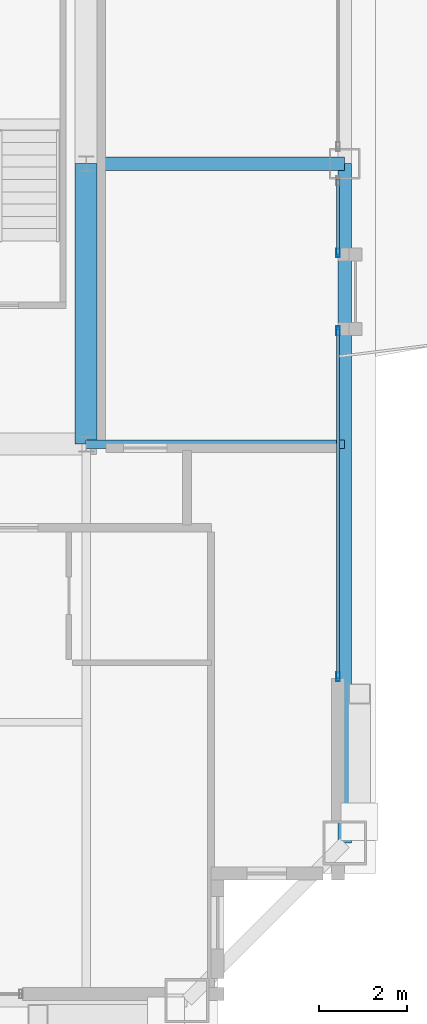
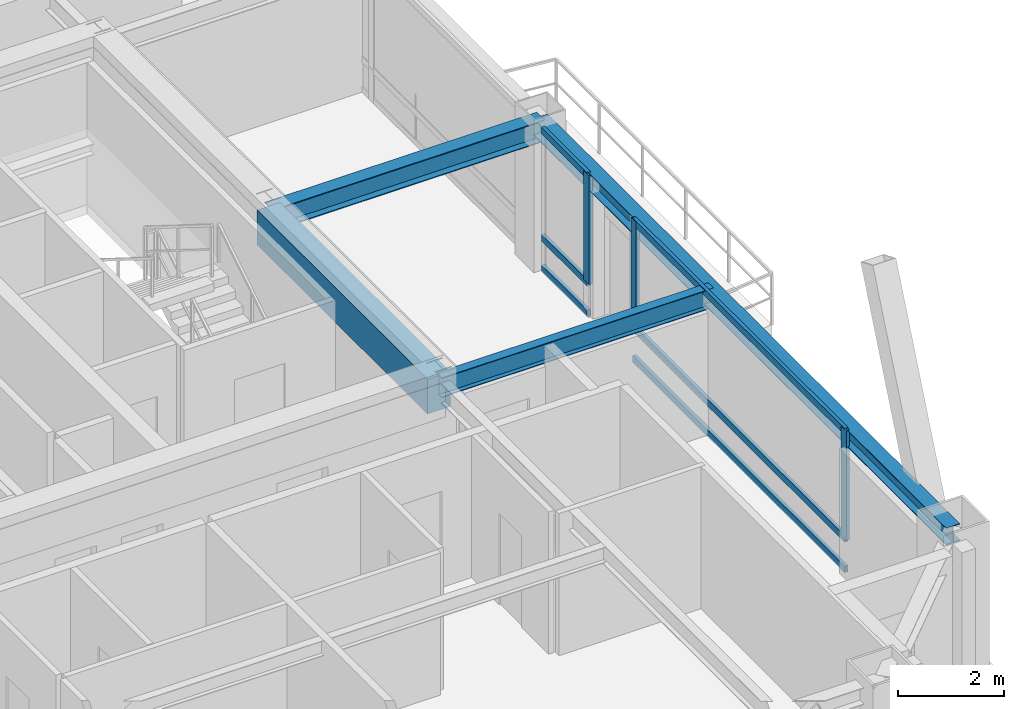
# One storey, part 13 of 35: 9 members, 4 beams, 2 elements without a shape of their own.
"""IFC4 building model written with IfcOpenShell, lengths in metres."""

import ifcopenshell
import ifcopenshell.guid

model = None  # the IFC model being written
_history = None  # IfcOwnerHistory: only IFC2X3 demands one
_inside = {}  # id of a spatial element -> (the spatial element, [elements in it])
_under = {}  # id of a project, library or spatial element -> (it, [spatial elements below it])
_declared = {}  # id of a project -> (the project, [libraries it declares])
_typed = {}  # id of a type object -> (the type object, [elements of that type])
_made_of = {}  # id of a material, layer set ... -> (it, [elements and type objects made of it])


def new_model(schema):
    """Start an empty IFC model of exactly this schema.

    Asked for "IFC4X3", IfcOpenShell would pick the latest addendum, in which some entities
    have other attributes; the version numbers below select the first issue.
    IFC2X3 requires an IfcOwnerHistory on every rooted entity: one is made here for all.
    """
    global model, _history
    if schema == "IFC4X3":
        model = ifcopenshell.file(schema_version=(4, 3, 0, 0))
    else:
        model = ifcopenshell.file(schema=schema)
    _inside.clear()
    _under.clear()
    _declared.clear()
    _typed.clear()
    _made_of.clear()
    _history = None
    if model.schema == "IFC2X3":
        org = make("IfcOrganization", Name="unknown")
        user = make(
            "IfcPersonAndOrganization",
            ThePerson=make("IfcPerson", FamilyName="unknown"),
            TheOrganization=org,
        )
        app = make(
            "IfcApplication",
            ApplicationDeveloper=org,
            Version="unknown",
            ApplicationFullName="unknown",
            ApplicationIdentifier="unknown",
        )
        _history = make(
            "IfcOwnerHistory",
            OwningUser=user,
            OwningApplication=app,
            ChangeAction="ADDED",
            CreationDate=0,
        )
    return model


def make(cls, **values):
    """One entity of the class cls with the attributes given. An attribute that is None is left unset."""
    return model.create_entity(
        cls, **{name: value for name, value in values.items() if value is not None}
    )


def rooted(cls, **values):
    """An entity with a GlobalId (a new one), such as an element, a storey or a relation."""
    return make(cls, GlobalId=ifcopenshell.guid.new(), OwnerHistory=_history, **values)


def si_unit(unit_type, name, prefix=None):
    """IfcSIUnit, for example si_unit("LENGTHUNIT", "METRE", prefix="MILLI")."""
    return make("IfcSIUnit", UnitType=unit_type, Prefix=prefix, Name=name)


def assignment(units):
    """IfcUnitAssignment: the units of a project."""
    return None if units is None else make("IfcUnitAssignment", Units=units)


def point(xyz):
    """IfcCartesianPoint."""
    return None if xyz is None else make("IfcCartesianPoint", Coordinates=xyz)


def direction(xyz):
    """IfcDirection."""
    return None if xyz is None else make("IfcDirection", DirectionRatios=xyz)


def frame(location, z_axis=None, x_axis=None):
    """IfcAxis2Placement3D, a coordinate frame: its origin and axes. An axis left out is left unset."""
    return make(
        "IfcAxis2Placement3D",
        Location=point(location),
        Axis=direction(z_axis),
        RefDirection=direction(x_axis),
    )


def frame_2d(location, x_axis=None):
    """IfcAxis2Placement2D, a coordinate frame in the plane: its origin and x axis."""
    return make(
        "IfcAxis2Placement2D", Location=point(location), RefDirection=direction(x_axis)
    )


def origin():
    """The frame at (0, 0, 0) with its axes left unset."""
    return frame((0.0, 0.0, 0.0))


def origin_2d():
    """The frame at (0, 0) in the plane with its x axis left unset."""
    return frame_2d((0.0, 0.0))


def place(relative_to, where):
    """IfcLocalPlacement: puts the frame where relative to a parent placement (None: the world)."""
    return make(
        "IfcLocalPlacement", PlacementRelTo=relative_to, RelativePlacement=where
    )


def context(
    kind, dimensions, precision=None, world=None, true_north=None, identifier=None
):
    """IfcGeometricRepresentationContext, for example the 3D "Model" context."""
    return make(
        "IfcGeometricRepresentationContext",
        ContextIdentifier=identifier,
        ContextType=kind,
        CoordinateSpaceDimension=dimensions,
        Precision=precision,
        WorldCoordinateSystem=world,
        TrueNorth=true_north,
    )


def subcontext(parent, identifier, kind, view, scale=None):
    """IfcGeometricRepresentationSubContext, for example "Body" below "Model"."""
    return make(
        "IfcGeometricRepresentationSubContext",
        ContextIdentifier=identifier,
        ContextType=kind,
        ParentContext=parent,
        TargetScale=scale,
        TargetView=view,
    )


def project(units=None, contexts=None):
    """IfcProject with its units and contexts."""
    return rooted(
        "IfcProject",
        Name="project",
        RepresentationContexts=contexts,
        UnitsInContext=assignment(units),
    )


def spatial(cls, under=None, at=None, **own):
    """A site, building, storey or space (cls), placed at a placement, below another one or the project."""
    s = rooted(cls, ObjectPlacement=at, **own)
    if under is not None:
        _under.setdefault(under.id(), (under, []))[1].append(s)
    return s


def profile(cls, at=None, kind="AREA", **sizes):
    """A parametric profile (cls). Its sizes go by their IFC names, for example OverallWidth=200.0."""
    return make(cls, ProfileType=kind, Position=at, **sizes)


def rectangle(**sizes):
    """IfcRectangleProfileDef."""
    return profile("IfcRectangleProfileDef", **sizes)


def hollow_rectangle(**sizes):
    """IfcRectangleHollowProfileDef."""
    return profile("IfcRectangleHollowProfileDef", **sizes)


def i_section(**sizes):
    """IfcIShapeProfileDef."""
    return profile("IfcIShapeProfileDef", **sizes)


def extrude(swept, where, along, depth):
    """IfcExtrudedAreaSolid: the profile swept, set in the frame where, extruded along a direction by depth."""
    return make(
        "IfcExtrudedAreaSolid",
        SweptArea=swept,
        Position=where,
        ExtrudedDirection=direction(along),
        Depth=depth,
    )


def shape(context_of_items, identifier, shape_type, items):
    """IfcShapeRepresentation: the items that make up one representation, for example the "Body"."""
    return make(
        "IfcShapeRepresentation",
        ContextOfItems=context_of_items,
        RepresentationIdentifier=identifier,
        RepresentationType=shape_type,
        Items=items,
    )


def source(mapping_origin, context_of_items, identifier, shape_type, items):
    """IfcRepresentationMap: a shape defined once, which mapped items show again and again."""
    return make(
        "IfcRepresentationMap",
        MappingOrigin=mapping_origin,
        MappedRepresentation=shape(context_of_items, identifier, shape_type, items),
    )


def transform(
    local_origin,
    x_axis=None,
    y_axis=None,
    z_axis=None,
    scale=None,
    scale2=None,
    scale3=None,
    uniform=True,
):
    """IfcCartesianTransformationOperator3D, or its non-uniform kind. x_axis, y_axis, z_axis: its Axis1, 2, 3."""
    if uniform:
        return make(
            "IfcCartesianTransformationOperator3D",
            Axis1=direction(x_axis),
            Axis2=direction(y_axis),
            LocalOrigin=point(local_origin),
            Scale=scale,
            Axis3=direction(z_axis),
        )
    return make(
        "IfcCartesianTransformationOperator3DnonUniform",
        Axis1=direction(x_axis),
        Axis2=direction(y_axis),
        LocalOrigin=point(local_origin),
        Scale=scale,
        Axis3=direction(z_axis),
        Scale2=scale2,
        Scale3=scale3,
    )


def mapped(mapping_source, mapping_target):
    """IfcMappedItem: shows the shape of a source again, moved by a transform."""
    return make(
        "IfcMappedItem", MappingSource=mapping_source, MappingTarget=mapping_target
    )


def material(Name=None, Category=None):
    """IfcMaterial."""
    return make("IfcMaterial", Name=Name, Category=Category)


def layer(
    of_material, thickness, ventilated=None, Name=None, Category=None, Priority=None
):
    """IfcMaterialLayer: one layer of a wall or slab, of a material (None: an air gap)."""
    return make(
        "IfcMaterialLayer",
        Material=of_material,
        LayerThickness=thickness,
        IsVentilated=ventilated,
        Name=Name,
        Category=Category,
        Priority=Priority,
    )


def layer_set(layers, Name=None):
    """IfcMaterialLayerSet."""
    return make("IfcMaterialLayerSet", MaterialLayers=layers, LayerSetName=Name)


def material_profile(
    of_material, cross_section, Name=None, Category=None, Priority=None
):
    """IfcMaterialProfile: a cross section and its material."""
    return make(
        "IfcMaterialProfile",
        Name=Name,
        Material=of_material,
        Profile=cross_section,
        Priority=Priority,
        Category=Category,
    )


def profile_set(profiles, Name=None, composite=None):
    """IfcMaterialProfileSet."""
    return make(
        "IfcMaterialProfileSet",
        Name=Name,
        MaterialProfiles=profiles,
        CompositeProfile=composite,
    )


def made_of(thing, what):
    """Note that an element or type object is made of a material, layer set ...; save() writes the relation."""
    if what is not None:
        _made_of.setdefault(what.id(), (what, []))[1].append(thing)
    return thing


def type_object(cls, material=None, **own):
    """A type object (cls), such as IfcWallType, which elements share."""
    return made_of(rooted(cls, **own), material)


def element(
    cls,
    number,
    at=None,
    inside=None,
    cuts=None,
    type_object=None,
    material=None,
    context=None,
    identifier="Body",
    shape_type=None,
    held_by="IfcProductDefinitionShape",
    body=None,
    shapes=None,
    **own,
):
    """One element of the class cls, such as IfcWall. Its Tag is "e" and its number.

    at: its placement. inside: the storey or other place that contains it. cuts: it is an
    opening in that element (IfcRelVoidsElement). A single representation is given by context,
    identifier, shape_type and body (its items); several are given by shapes. held_by: the class
    of the entity that holds the representations. save() writes the other relations.
    """
    e = rooted(cls, Tag="e%d" % number, ObjectPlacement=at, **own)
    if body is not None:
        shapes = [shape(context, identifier, shape_type, body)]
    if shapes is not None:
        e.Representation = make(held_by, Representations=shapes)
    if inside is not None:
        _inside.setdefault(inside.id(), (inside, []))[1].append(e)
    if cuts is not None:
        rooted(
            "IfcRelVoidsElement", RelatingBuildingElement=cuts, RelatedOpeningElement=e
        )
    if type_object is not None:
        _typed.setdefault(type_object.id(), (type_object, []))[1].append(e)
    return made_of(e, material)


def aggregate(whole, parts):
    """IfcRelAggregates: a whole, such as a stair, and the parts it consists of."""
    return rooted("IfcRelAggregates", RelatingObject=whole, RelatedObjects=parts)


def save(model, path):
    """Write the relations noted so far, then the file.

    IfcRelAggregates (storeys below a building ...), IfcRelContainedInSpatialStructure (elements
    in a storey), IfcRelDefinesByType, IfcRelAssociatesMaterial and IfcRelDeclares: one each for
    every whole, place, type object, material and project.
    """
    for whole, parts in _under.values():
        aggregate(whole, parts)
    for where, things in _inside.values():
        rooted(
            "IfcRelContainedInSpatialStructure",
            RelatedElements=things,
            RelatingStructure=where,
        )
    for kind, things in _typed.values():
        rooted("IfcRelDefinesByType", RelatedObjects=things, RelatingType=kind)
    for what, things in _made_of.values():
        rooted("IfcRelAssociatesMaterial", RelatedObjects=things, RelatingMaterial=what)
    for by, libraries in _declared.values():
        rooted("IfcRelDeclares", RelatingContext=by, RelatedDefinitions=libraries)
    model.write(path)


model = new_model("IFC4")

# Units and contexts
model_context = context("Model", 3, precision=1e-05, world=origin(), true_north=direction((0.0, 1.0)))
body_context = subcontext(model_context, "Body", "Model", "MODEL_VIEW")
ifc_project = project(units=[si_unit("LENGTHUNIT", "METRE"), si_unit("AREAUNIT", "SQUARE_METRE"), si_unit("VOLUMEUNIT", "CUBIC_METRE"), si_unit("PLANEANGLEUNIT", "RADIAN"), si_unit("MASSUNIT", "GRAM", prefix="KILO"), si_unit("THERMODYNAMICTEMPERATUREUNIT", "KELVIN"), si_unit("POWERUNIT", "WATT")], contexts=[model_context])

# Site, building, storey
site_placement = place(None, origin())
site = spatial("IfcSite", under=ifc_project, at=site_placement, CompositionType="ELEMENT")
building_placement = place(site_placement, origin())
building = spatial("IfcBuilding", under=site, at=building_placement, Name="Yuzanri Waterfront Tower", CompositionType="ELEMENT")
storey_placement = place(building_placement, frame((0.0, 0.0, 335.699951171875)))
storey = spatial("IfcBuildingStorey", under=building, at=storey_placement, Name="L90", CompositionType="ELEMENT", Elevation=335.699951171875)

# Beams
ifc_material_1 = material(Name="Concrete C50", Category="concrete")
ifc_material_profile_1 = material_profile(ifc_material_1, rectangle(XDim=0.5, YDim=0.800048828125, at=origin_2d()), Name="RC 500x800")
ifc_profile_set_1 = profile_set([ifc_material_profile_1], Name="Concrete C50")
beam_type_1 = type_object("IfcBeamType", Name="Core Coupling Lintel Concrete C50 500x800", PredefinedType="LINTEL", material=ifc_profile_set_1)
shared_shape_1 = source(origin(), body_context, "Body", "SweptSolid", [
    extrude(rectangle(XDim=0.5, YDim=0.800048828125, at=origin_2d()), origin(), (0.0, 0.0, 1.0), 6.400146484375),
])
beam_1_placement = place(storey_placement, frame((50.199951171875, 19.39990234375, 2.860107421875), z_axis=(0.0, 1.0, 0.0), x_axis=(-1.0, 0.0, 0.0)))
element("IfcBeam", 1, at=beam_1_placement, inside=storey, type_object=beam_type_1, Name="L90 Core Tie Beam CE1", PredefinedType="LINTEL", context=body_context, shape_type="MappedRepresentation", body=[
    mapped(shared_shape_1, transform((0.0, 0.0, 0.0), scale=1.0)),
])
ifc_material_2 = material(Name="Steel Q355B", Category="steel")
ifc_material_profile_2 = material_profile(ifc_material_2, i_section(OverallWidth=0.300048828125, OverallDepth=0.389892578125, WebThickness=0.010009765625, FlangeThickness=0.01611328125, at=origin_2d()), Name="HM 390x300x10x16")
ifc_profile_set_2 = profile_set([ifc_material_profile_2], Name="Steel Q355B")
beam_type_2 = type_object("IfcBeamType", Name="Perimeter Spandrel Q355B HM 390x300", PredefinedType="SPANDREL", material=ifc_profile_set_2)
shared_shape_2 = source(origin(), body_context, "Body", "SweptSolid", [
    extrude(i_section(OverallWidth=0.300048828125, OverallDepth=0.389892578125, WebThickness=0.010009765625, FlangeThickness=0.01611328125, at=origin_2d()), origin(), (0.0, 0.0, 1.0), 15.5),
])
beam_2_placement = place(storey_placement, frame((56.10009765625, 10.300048828125, 3.06494140625), z_axis=(0.0, 1.0, 0.0), x_axis=(-1.0, 0.0, 0.0)))
element("IfcBeam", 2, at=beam_2_placement, inside=storey, type_object=beam_type_2, Name="L90 Perimeter Spandrel E1-E2", PredefinedType="SPANDREL", context=body_context, shape_type="MappedRepresentation", body=[
    mapped(shared_shape_2, transform((0.0, 0.0, 0.0), scale=1.0)),
])
ifc_material_3 = material(Name="Steel Q355B", Category="steel")
ifc_material_profile_3 = material_profile(ifc_material_3, i_section(OverallWidth=0.300048828125, OverallDepth=0.488037109375, WebThickness=0.010986328125, FlangeThickness=0.01806640625, at=origin_2d()), Name="HM 488x300x11x18")
ifc_profile_set_3 = profile_set([ifc_material_profile_3], Name="Steel Q355B")
beam_type_3 = type_object("IfcBeamType", Name="Primary Floor Girder Q355B HM 488x300", PredefinedType="BEAM", material=ifc_profile_set_3)
shared_shape_3 = source(origin(), body_context, "Body", "SweptSolid", [
    extrude(i_section(OverallWidth=0.300048828125, OverallDepth=0.488037109375, WebThickness=0.010986328125, FlangeThickness=0.01806640625, at=origin_2d()), origin(), (0.0, 0.0, 1.0), 5.900146484375),
])
beam_3_placement = place(storey_placement, frame((50.199951171875, 25.800048828125, 3.01611328125), z_axis=(1.0, 0.0, 0.0), x_axis=(0.0, 1.0, 0.0)))
element("IfcBeam", 3, at=beam_3_placement, inside=storey, type_object=beam_type_3, Name="L90 East Grid Girder", PredefinedType="BEAM", context=body_context, shape_type="MappedRepresentation", body=[
    mapped(shared_shape_3, transform((0.0, 0.0, 0.0), scale=1.0)),
])
ifc_material_4 = material(Name="Steel Q355B", Category="steel")
ifc_material_profile_4 = material_profile(ifc_material_4, i_section(OverallWidth=0.199951171875, OverallDepth=0.449951171875, WebThickness=0.009033203125, FlangeThickness=0.013916015625, at=origin_2d()), Name="HN 450x200x9x14")
ifc_profile_set_4 = profile_set([ifc_material_profile_4], Name="Steel Q355B")
beam_type_4 = type_object("IfcBeamType", Name="Secondary Floor Beam Q355B HN 450x200", PredefinedType="BEAM", material=ifc_profile_set_4)
shared_shape_4 = source(origin(), body_context, "Body", "SweptSolid", [
    extrude(i_section(OverallWidth=0.199951171875, OverallDepth=0.449951171875, WebThickness=0.009033203125, FlangeThickness=0.013916015625, at=origin_2d()), origin(), (0.0, 0.0, 1.0), 5.900146484375),
])
beam_4_placement = place(storey_placement, frame((50.199951171875, 19.39990234375, 3.03515625), z_axis=(1.0, 0.0, 0.0), x_axis=(0.0, 1.0, 0.0)))
element("IfcBeam", 4, at=beam_4_placement, inside=storey, type_object=beam_type_4, Name="L90 East-South Core Line Beam", PredefinedType="BEAM", context=body_context, shape_type="MappedRepresentation", body=[
    mapped(shared_shape_4, transform((0.0, 0.0, 0.0), scale=1.0)),
])

# Curtain wall, members
ifc_material_5 = material(Name="Anodized Architectural Bronze", Category="metal")
ifc_layer = layer(ifc_material_5, 0.159912109375)
ifc_layer_set = layer_set([ifc_layer], Name="Anodized Architectural Bronze")
curtain_wall_type = type_object("IfcCurtainWallType", Name="Anodized Bronze High-Rise Penthouse High-Wind Unitized Curtain Wall 6900", PredefinedType="NOTDEFINED", material=ifc_layer_set)
curtain_wall_1_placement = place(storey_placement, origin())
curtain_wall_1 = element("IfcCurtainWall", 5, at=curtain_wall_1_placement, inside=storey, type_object=curtain_wall_type, Name="L90 Curtain Wall CW-L90-EL1", PredefinedType="NOTDEFINED")
ifc_material_6 = material(Name="Anodized Architectural Bronze", Category="metal")
ifc_material_profile_5 = material_profile(ifc_material_6, hollow_rectangle(XDim=0.074951171875, YDim=0.14990234375, WallThickness=0.00390625, at=origin_2d()), Name="CWT 75x150")
ifc_profile_set_5 = profile_set([ifc_material_profile_5], Name="Anodized Architectural Bronze")
member_type_1 = type_object("IfcMemberType", Name="Anodized Bronze Primary Curtain-Wall Transom 75x150", PredefinedType="USERDEFINED", material=ifc_profile_set_5)
shared_shape_5 = source(origin(), body_context, "Body", "SweptSolid", [
    extrude(hollow_rectangle(XDim=0.074951171875, YDim=0.14990234375, WallThickness=0.00390625, at=origin_2d()), origin(), (0.0, 0.0, 1.0), 7.974853515625),
])
member_1_placement = place(storey_placement, frame((55.949951171875, 14.050048828125, 0.050048828125), z_axis=(0.0, 1.0, 0.0), x_axis=(-1.0, 0.0, 0.0)))
member_1 = element("IfcMember", 6, at=member_1_placement, type_object=member_type_1, Name="CW-L90-EL1 Transom 1", ObjectType="TRANSOM", PredefinedType="USERDEFINED", context=body_context, shape_type="MappedRepresentation", body=[
    mapped(shared_shape_5, transform((0.0, 0.0, 0.0), scale=1.0)),
])
member_2_placement = place(storey_placement, frame((55.949951171875, 14.050048828125, 0.75), z_axis=(0.0, 1.0, 0.0), x_axis=(-1.0, 0.0, 0.0)))
member_2 = element("IfcMember", 7, at=member_2_placement, type_object=member_type_1, Name="CW-L90-EL1 Transom 2", ObjectType="TRANSOM", PredefinedType="USERDEFINED", context=body_context, shape_type="MappedRepresentation", body=[
    mapped(shared_shape_5, transform((0.0, 0.0, 0.0), scale=1.0)),
])
member_3_placement = place(storey_placement, frame((55.949951171875, 14.050048828125, 3.2099609375), z_axis=(0.0, 1.0, 0.0), x_axis=(-1.0, 0.0, 0.0)))
member_3 = element("IfcMember", 8, at=member_3_placement, type_object=member_type_1, Name="CW-L90-EL1 Transom 3", ObjectType="TRANSOM", PredefinedType="USERDEFINED", context=body_context, shape_type="MappedRepresentation", body=[
    mapped(shared_shape_5, transform((0.0, 0.0, 0.0), scale=1.0)),
])

curtain_wall_2_placement = place(storey_placement, origin())
curtain_wall_2 = element("IfcCurtainWall", 9, at=curtain_wall_2_placement, inside=storey, type_object=curtain_wall_type, Name="L90 Curtain Wall CW-L90-EL2", PredefinedType="NOTDEFINED")
shared_shape_6 = source(origin(), body_context, "Body", "SweptSolid", [
    extrude(hollow_rectangle(XDim=0.074951171875, YDim=0.14990234375, WallThickness=0.00390625, at=origin_2d()), origin(), (0.0, 0.0, 1.0), 1.724853515625),
])
member_4_placement = place(storey_placement, frame((55.949951171875, 23.72509765625, 0.050048828125), z_axis=(0.0, 1.0, 0.0), x_axis=(-1.0, 0.0, 0.0)))
member_4 = element("IfcMember", 10, at=member_4_placement, type_object=member_type_1, Name="CW-L90-EL2 Transom 1", ObjectType="TRANSOM", PredefinedType="USERDEFINED", context=body_context, shape_type="MappedRepresentation", body=[
    mapped(shared_shape_6, transform((0.0, 0.0, 0.0), scale=1.0)),
])
member_5_placement = place(storey_placement, frame((55.949951171875, 23.72509765625, 0.75), z_axis=(0.0, 1.0, 0.0), x_axis=(-1.0, 0.0, 0.0)))
member_5 = element("IfcMember", 11, at=member_5_placement, type_object=member_type_1, Name="CW-L90-EL2 Transom 2", ObjectType="TRANSOM", PredefinedType="USERDEFINED", context=body_context, shape_type="MappedRepresentation", body=[
    mapped(shared_shape_6, transform((0.0, 0.0, 0.0), scale=1.0)),
])
member_6_placement = place(storey_placement, frame((55.949951171875, 23.72509765625, 3.2099609375), z_axis=(0.0, 1.0, 0.0), x_axis=(-1.0, 0.0, 0.0)))
member_6 = element("IfcMember", 12, at=member_6_placement, type_object=member_type_1, Name="CW-L90-EL2 Transom 3", ObjectType="TRANSOM", PredefinedType="USERDEFINED", context=body_context, shape_type="MappedRepresentation", body=[
    mapped(shared_shape_6, transform((0.0, 0.0, 0.0), scale=1.0)),
])

# Member
ifc_material_7 = material(Name="Anodized Architectural Bronze", Category="metal")
ifc_material_profile_6 = material_profile(ifc_material_7, hollow_rectangle(XDim=0.074951171875, YDim=0.199951171875, WallThickness=0.00390625, at=origin_2d()), Name="CWM 75x200")
ifc_profile_set_6 = profile_set([ifc_material_profile_6], Name="Anodized Architectural Bronze")
member_type_2 = type_object("IfcMemberType", Name="Anodized Bronze Primary Curtain-Wall Mullion 75x200", PredefinedType="MULLION", material=ifc_profile_set_6)
shared_shape_7 = source(origin(), body_context, "Body", "SweptSolid", [
    extrude(hollow_rectangle(XDim=0.074951171875, YDim=0.199951171875, WallThickness=0.00390625, at=origin_2d()), origin(), (0.0, 0.0, 1.0), 2.508056640625),
])
member_7_placement = place(storey_placement, frame((55.949951171875, 14.090087890625, 0.751953125), z_axis=(0.0, 0.0, 1.0), x_axis=(1.0, 0.0, 0.0)))
member_7 = element("IfcMember", 13, at=member_7_placement, type_object=member_type_2, Name="CW-L90-EL1 Upper Mullion 00", PredefinedType="MULLION", context=body_context, shape_type="MappedRepresentation", body=[
    mapped(shared_shape_7, transform((0.0, 0.0, 0.0), scale=1.0)),
])

member_8_placement = place(storey_placement, frame((55.949951171875, 21.985107421875, 0.751953125), z_axis=(0.0, 0.0, 1.0), x_axis=(1.0, 0.0, 0.0)))
member_8 = element("IfcMember", 14, at=member_8_placement, type_object=member_type_2, Name="CW-L90-EL1 Upper Mullion 01", PredefinedType="MULLION", context=body_context, shape_type="MappedRepresentation", body=[
    mapped(shared_shape_7, transform((0.0, 0.0, 0.0), scale=1.0)),
])

aggregate(curtain_wall_1, [member_7, member_8, member_1, member_2, member_3])

member_9_placement = place(storey_placement, frame((55.949951171875, 23.764892578125, 0.751953125), z_axis=(0.0, 0.0, 1.0), x_axis=(1.0, 0.0, 0.0)))
member_9 = element("IfcMember", 15, at=member_9_placement, type_object=member_type_2, Name="CW-L90-EL2 Upper Mullion 00", PredefinedType="MULLION", context=body_context, shape_type="MappedRepresentation", body=[
    mapped(shared_shape_7, transform((0.0, 0.0, 0.0), scale=1.0)),
])

aggregate(curtain_wall_2, [member_9, member_4, member_5, member_6])

save(model, "model.ifc")
